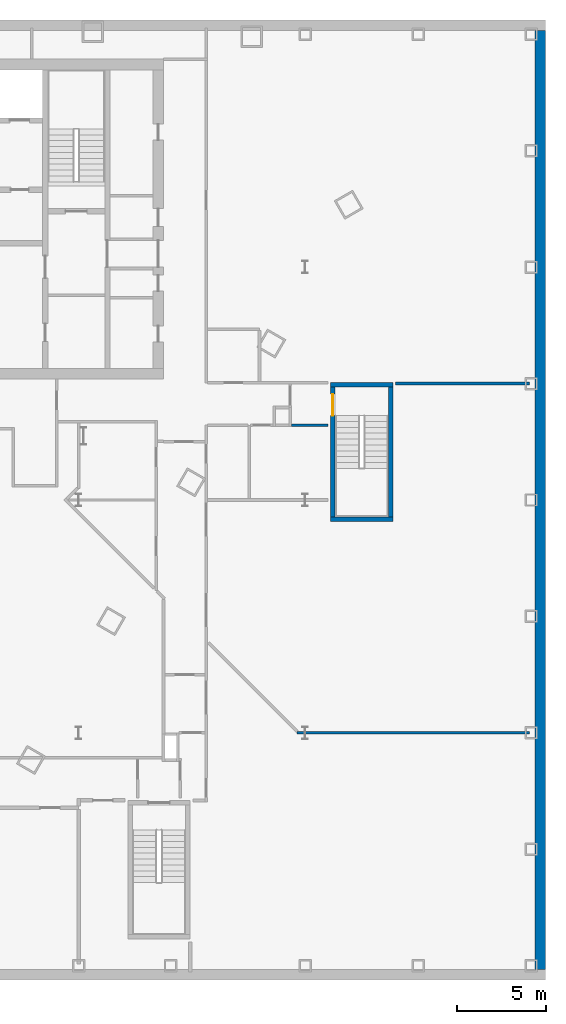
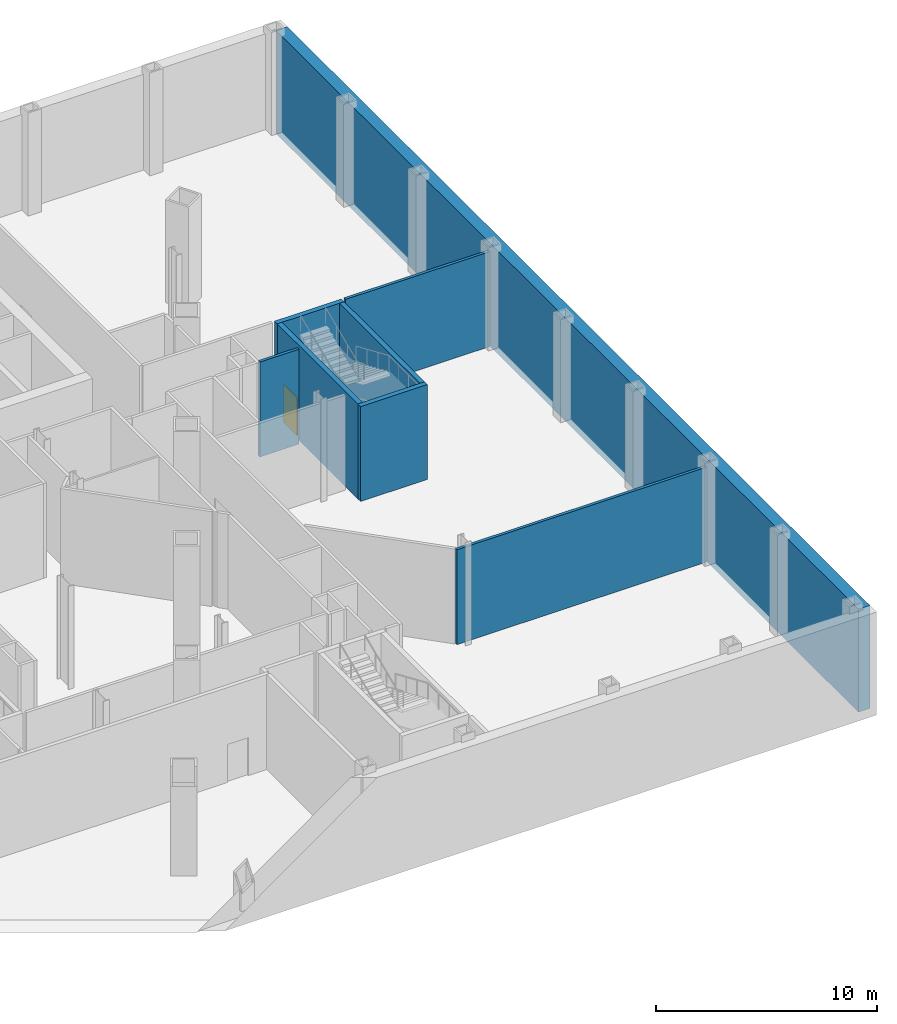
# One storey, part 11 of 17: 8 walls, 1 door, 1 opening.
"""IFC4 building model written with IfcOpenShell, lengths in metres."""

from ifc_helpers import new_model, si_unit, direction, frame, frame_2d, origin, place, context, subcontext, project, spatial, rectangle, extrude, material, layer, layer_set, type_object, element, fill, save


model = new_model("IFC4")

# Units and contexts
model_context = context("Model", 3, precision=1e-05, world=origin(), true_north=direction((0.0, 1.0)))
body_context = subcontext(model_context, "Body", "Model", "MODEL_VIEW")
ifc_project = project(units=[si_unit("LENGTHUNIT", "METRE"), si_unit("AREAUNIT", "SQUARE_METRE"), si_unit("VOLUMEUNIT", "CUBIC_METRE"), si_unit("PLANEANGLEUNIT", "RADIAN"), si_unit("MASSUNIT", "GRAM", prefix="KILO")], contexts=[model_context])

# Site, building, storey
site_placement = place(None, origin())
site = spatial("IfcSite", under=ifc_project, at=site_placement, CompositionType="ELEMENT")
building_placement = place(site_placement, origin())
building = spatial("IfcBuilding", under=site, at=building_placement, Name="Njiva Tower", CompositionType="ELEMENT")
storey_placement = place(building_placement, frame((0.0, 0.0, -11.4)))
storey = spatial("IfcBuildingStorey", under=building, at=storey_placement, Name="B2", CompositionType="ELEMENT", Elevation=-11.4)

# Walls
ifc_material_1 = material(Name="Gypsum board on steel studs", Category="gypsum")
ifc_layer_1 = layer(ifc_material_1, 0.15)
ifc_layer_set_1 = layer_set([ifc_layer_1], Name="Gypsum board on steel studs")
wall_type_1 = type_object("IfcWallType", Name="WT21 Compartment wall 150", PredefinedType="PARTITIONING", material=ifc_layer_set_1)
wall_1_placement = place(storey_placement, frame((24.7, -2.6, 0.0), z_axis=(0.0, 0.0, 1.0), x_axis=(1.0, 0.0, 0.0)))
element("IfcWall", 1, at=wall_1_placement, inside=storey, type_object=wall_type_1, Name="Partition B2-P108", PredefinedType="PARTITIONING", context=body_context, shape_type="SweptSolid", body=[
    extrude(rectangle(XDim=2.05, YDim=0.15, at=frame_2d((1.025, 0.0))), origin(), (0.0, 0.0, 1.0), 5.25),
])
wall_2_placement = place(storey_placement, frame((25.026, -19.9, 0.0), z_axis=(0.0, 0.0, 1.0), x_axis=(0.999999997075, 7.6487685e-05, 0.0)))
element("IfcWall", 2, at=wall_2_placement, inside=storey, type_object=wall_type_1, Name="Partition B2-P109", PredefinedType="PARTITIONING", context=body_context, shape_type="SweptSolid", body=[
    extrude(rectangle(XDim=13.074, YDim=0.15, at=frame_2d((6.537, 0.0))), origin(), (0.0, 0.0, 1.0), 5.25),
])
wall_3_placement = place(storey_placement, frame((30.55, -0.25, 0.0), z_axis=(0.0, 0.0, 1.0), x_axis=(1.0, 0.0, 0.0)))
element("IfcWall", 3, at=wall_3_placement, inside=storey, type_object=wall_type_1, Name="Partition B2-P110", PredefinedType="PARTITIONING", context=body_context, shape_type="SweptSolid", body=[
    extrude(rectangle(XDim=7.55, YDim=0.15, at=frame_2d((3.775, 0.0))), origin(), (0.0, 0.0, 1.0), 5.25),
])

# Wall, opening, door
ifc_material_2 = material(Name="Concrete C40/50", Category="concrete")
ifc_layer_2 = layer(ifc_material_2, 0.25)
ifc_layer_set_2 = layer_set([ifc_layer_2], Name="Concrete C40/50")
wall_type_2 = type_object("IfcWallType", Name="WT9 Stair enclosure wall 250", PredefinedType="SHEAR", material=ifc_layer_set_2)
wall_4_placement = place(storey_placement, frame((27.025, -7.75, 0.0), z_axis=(0.0, 0.0, 1.0), x_axis=(0.0, 1.0, 0.0)))
wall_4 = element("IfcWall", 4, at=wall_4_placement, inside=storey, type_object=wall_type_2, Name="Stair G wall west", PredefinedType="SHEAR", context=body_context, shape_type="SweptSolid", body=[
    extrude(rectangle(XDim=7.3, YDim=0.25, at=frame_2d((3.65, 0.0))), origin(), (0.0, 0.0, 1.0), 5.25),
])
opening_placement = place(wall_4_placement, frame((5.7, 0.0, 0.0)))
opening = element("IfcOpeningElement", 5, at=opening_placement, cuts=wall_4, Name="Opening B2-D941", PredefinedType="OPENING", context=body_context, shape_type="SweptSolid", body=[
    extrude(rectangle(XDim=1.2, YDim=2.1, at=frame_2d((0.6, 1.05))), frame((0.0, 0.135, 0.0), z_axis=(0.0, -1.0, 0.0), x_axis=(1.0, 0.0, 0.0)), (0.0, 0.0, 1.0), 0.27),
])
ifc_material_3 = material(Name="Steel door, painted", Category="steel")
door_type = type_object("IfcDoorType", Name="D1 Stair door 1200x2100", OperationType="SINGLE_SWING_LEFT", PredefinedType="DOOR", material=ifc_material_3)
door_placement = place(opening_placement, origin())
door = element("IfcDoor", 6, at=door_placement, inside=storey, type_object=door_type, Name="Stair G door", OperationType="SINGLE_SWING_RIGHT", OverallHeight=2.1, OverallWidth=1.2, PredefinedType="DOOR", context=body_context, shape_type="SweptSolid", body=[
    extrude(rectangle(XDim=1.2, YDim=2.1, at=frame_2d((0.6, 1.05))), frame((0.0, 0.025, 0.0), z_axis=(0.0, -1.0, 0.0), x_axis=(1.0, 0.0, 0.0)), (0.0, 0.0, 1.0), 0.05),
])
fill(opening, door)

# Walls
wall_5_placement = place(storey_placement, frame((30.275, -7.75, 0.0), z_axis=(0.0, 0.0, 1.0), x_axis=(0.0, 1.0, 0.0)))
element("IfcWall", 7, at=wall_5_placement, inside=storey, type_object=wall_type_2, Name="Stair G wall east", PredefinedType="SHEAR", context=body_context, shape_type="SweptSolid", body=[
    extrude(rectangle(XDim=7.3, YDim=0.25, at=frame_2d((3.65, 0.0))), origin(), (0.0, 0.0, 1.0), 5.25),
])
for number, where, z_axis, x_axis, name in (
    (8, (26.9, -7.875, 0.0), (0.0, 0.0, 1.0), (1.0, 0.0, 0.0), "Stair G wall south"),
    (9, (26.9, -0.325, 0.0), (0.0, 0.0, 1.0), (1.0, 0.0, 0.0), "Stair G wall north"),
):
    element("IfcWall", number, at=place(storey_placement, frame(where, z_axis=z_axis, x_axis=x_axis)), inside=storey, type_object=wall_type_2, Name=name, PredefinedType="SHEAR", context=body_context, shape_type="SweptSolid", body=[
        extrude(rectangle(XDim=3.5, YDim=0.25, at=frame_2d((1.75, 0.0))), origin(), (0.0, 0.0, 1.0), 5.25),
    ])
ifc_layer_3 = layer(ifc_material_2, 0.6)
ifc_layer_set_3 = layer_set([ifc_layer_3], Name="Concrete C40/50")
wall_type_3 = type_object("IfcWallType", Name="WT93 Basement retaining wall 600", PredefinedType="STANDARD", material=ifc_layer_set_3)
wall_6_placement = place(storey_placement, frame((38.7, -33.2, -0.4), z_axis=(0.0, 0.0, 1.0), x_axis=(0.0, 1.0, 0.0)))
element("IfcWall", 10, at=wall_6_placement, inside=storey, type_object=wall_type_3, Name="Basement retaining wall", PredefinedType="STANDARD", context=body_context, shape_type="SweptSolid", body=[
    extrude(rectangle(XDim=52.8, YDim=0.6, at=frame_2d((26.4, 0.0))), origin(), (0.0, 0.0, 1.0), 5.7),
])

save(model, "model.ifc")
